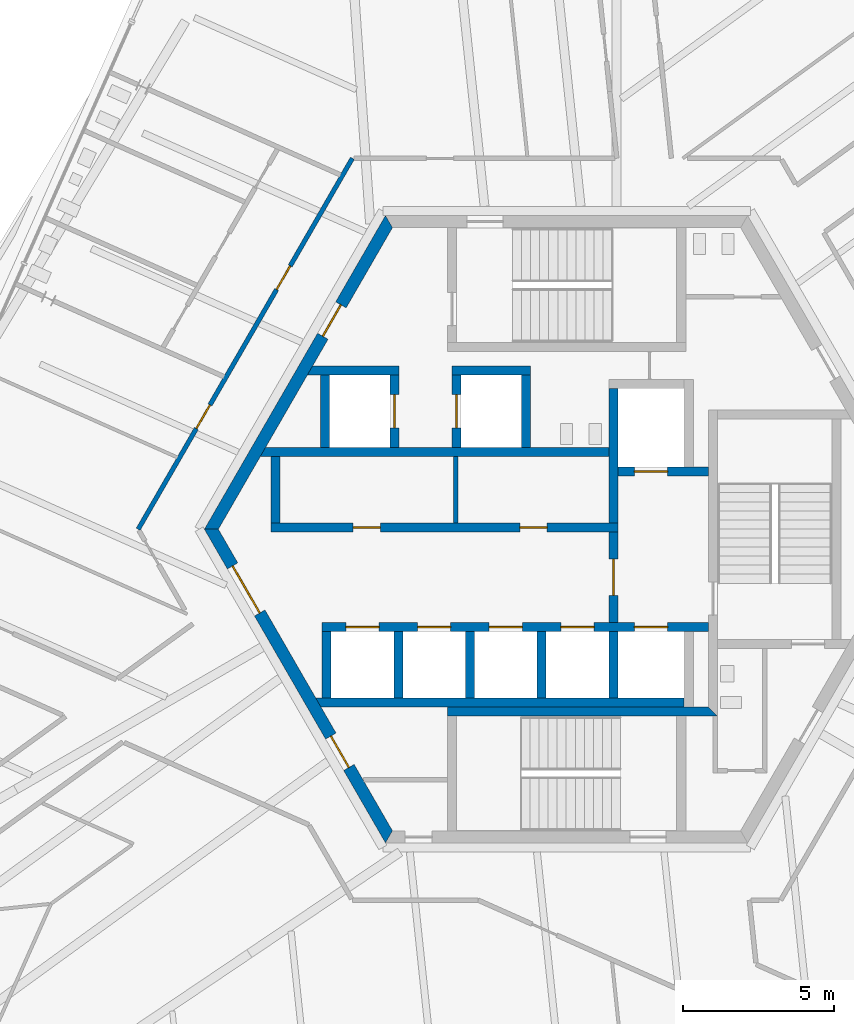
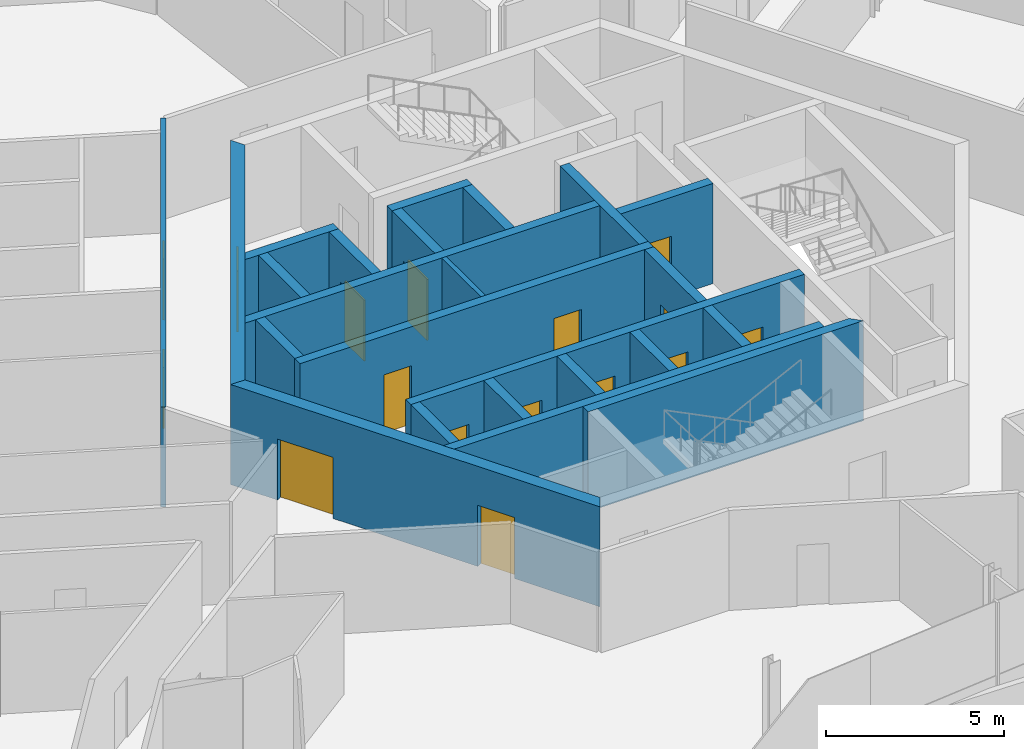
# One storey, part 14 of 21: 24 walls, 16 doors, 16 openings.
"""IFC4 building model written with IfcOpenShell, lengths in metres."""

import ifcopenshell
import ifcopenshell.guid

model = None  # the IFC model being written
_history = None  # IfcOwnerHistory: only IFC2X3 demands one
_inside = {}  # id of a spatial element -> (the spatial element, [elements in it])
_under = {}  # id of a project, library or spatial element -> (it, [spatial elements below it])
_declared = {}  # id of a project -> (the project, [libraries it declares])
_typed = {}  # id of a type object -> (the type object, [elements of that type])
_made_of = {}  # id of a material, layer set ... -> (it, [elements and type objects made of it])


def new_model(schema):
    """Start an empty IFC model of exactly this schema.

    Asked for "IFC4X3", IfcOpenShell would pick the latest addendum, in which some entities
    have other attributes; the version numbers below select the first issue.
    IFC2X3 requires an IfcOwnerHistory on every rooted entity: one is made here for all.
    """
    global model, _history
    if schema == "IFC4X3":
        model = ifcopenshell.file(schema_version=(4, 3, 0, 0))
    else:
        model = ifcopenshell.file(schema=schema)
    _inside.clear()
    _under.clear()
    _declared.clear()
    _typed.clear()
    _made_of.clear()
    _history = None
    if model.schema == "IFC2X3":
        org = make("IfcOrganization", Name="unknown")
        user = make(
            "IfcPersonAndOrganization",
            ThePerson=make("IfcPerson", FamilyName="unknown"),
            TheOrganization=org,
        )
        app = make(
            "IfcApplication",
            ApplicationDeveloper=org,
            Version="unknown",
            ApplicationFullName="unknown",
            ApplicationIdentifier="unknown",
        )
        _history = make(
            "IfcOwnerHistory",
            OwningUser=user,
            OwningApplication=app,
            ChangeAction="ADDED",
            CreationDate=0,
        )
    return model


def make(cls, **values):
    """One entity of the class cls with the attributes given. An attribute that is None is left unset."""
    return model.create_entity(
        cls, **{name: value for name, value in values.items() if value is not None}
    )


def rooted(cls, **values):
    """An entity with a GlobalId (a new one), such as an element, a storey or a relation."""
    return make(cls, GlobalId=ifcopenshell.guid.new(), OwnerHistory=_history, **values)


def si_unit(unit_type, name, prefix=None):
    """IfcSIUnit, for example si_unit("LENGTHUNIT", "METRE", prefix="MILLI")."""
    return make("IfcSIUnit", UnitType=unit_type, Prefix=prefix, Name=name)


def assignment(units):
    """IfcUnitAssignment: the units of a project."""
    return None if units is None else make("IfcUnitAssignment", Units=units)


def point(xyz):
    """IfcCartesianPoint."""
    return None if xyz is None else make("IfcCartesianPoint", Coordinates=xyz)


def direction(xyz):
    """IfcDirection."""
    return None if xyz is None else make("IfcDirection", DirectionRatios=xyz)


def frame(location, z_axis=None, x_axis=None):
    """IfcAxis2Placement3D, a coordinate frame: its origin and axes. An axis left out is left unset."""
    return make(
        "IfcAxis2Placement3D",
        Location=point(location),
        Axis=direction(z_axis),
        RefDirection=direction(x_axis),
    )


def frame_2d(location, x_axis=None):
    """IfcAxis2Placement2D, a coordinate frame in the plane: its origin and x axis."""
    return make(
        "IfcAxis2Placement2D", Location=point(location), RefDirection=direction(x_axis)
    )


def origin():
    """The frame at (0, 0, 0) with its axes left unset."""
    return frame((0.0, 0.0, 0.0))


def place(relative_to, where):
    """IfcLocalPlacement: puts the frame where relative to a parent placement (None: the world)."""
    return make(
        "IfcLocalPlacement", PlacementRelTo=relative_to, RelativePlacement=where
    )


def context(
    kind, dimensions, precision=None, world=None, true_north=None, identifier=None
):
    """IfcGeometricRepresentationContext, for example the 3D "Model" context."""
    return make(
        "IfcGeometricRepresentationContext",
        ContextIdentifier=identifier,
        ContextType=kind,
        CoordinateSpaceDimension=dimensions,
        Precision=precision,
        WorldCoordinateSystem=world,
        TrueNorth=true_north,
    )


def subcontext(parent, identifier, kind, view, scale=None):
    """IfcGeometricRepresentationSubContext, for example "Body" below "Model"."""
    return make(
        "IfcGeometricRepresentationSubContext",
        ContextIdentifier=identifier,
        ContextType=kind,
        ParentContext=parent,
        TargetScale=scale,
        TargetView=view,
    )


def project(units=None, contexts=None):
    """IfcProject with its units and contexts."""
    return rooted(
        "IfcProject",
        Name="project",
        RepresentationContexts=contexts,
        UnitsInContext=assignment(units),
    )


def spatial(cls, under=None, at=None, **own):
    """A site, building, storey or space (cls), placed at a placement, below another one or the project."""
    s = rooted(cls, ObjectPlacement=at, **own)
    if under is not None:
        _under.setdefault(under.id(), (under, []))[1].append(s)
    return s


def polyline(points):
    """IfcPolyline through the points."""
    return make("IfcPolyline", Points=[point(p) for p in points])


def profile(cls, at=None, kind="AREA", **sizes):
    """A parametric profile (cls). Its sizes go by their IFC names, for example OverallWidth=200.0."""
    return make(cls, ProfileType=kind, Position=at, **sizes)


def rectangle(**sizes):
    """IfcRectangleProfileDef."""
    return profile("IfcRectangleProfileDef", **sizes)


def outline(outer, holes=None, kind="AREA"):
    """IfcArbitraryClosedProfileDef: a profile drawn as a closed curve; with holes, ...WithVoids."""
    if holes is None:
        return make("IfcArbitraryClosedProfileDef", ProfileType=kind, OuterCurve=outer)
    return make(
        "IfcArbitraryProfileDefWithVoids",
        ProfileType=kind,
        OuterCurve=outer,
        InnerCurves=holes,
    )


def extrude(swept, where, along, depth):
    """IfcExtrudedAreaSolid: the profile swept, set in the frame where, extruded along a direction by depth."""
    return make(
        "IfcExtrudedAreaSolid",
        SweptArea=swept,
        Position=where,
        ExtrudedDirection=direction(along),
        Depth=depth,
    )


def shape(context_of_items, identifier, shape_type, items):
    """IfcShapeRepresentation: the items that make up one representation, for example the "Body"."""
    return make(
        "IfcShapeRepresentation",
        ContextOfItems=context_of_items,
        RepresentationIdentifier=identifier,
        RepresentationType=shape_type,
        Items=items,
    )


def source(mapping_origin, context_of_items, identifier, shape_type, items):
    """IfcRepresentationMap: a shape defined once, which mapped items show again and again."""
    return make(
        "IfcRepresentationMap",
        MappingOrigin=mapping_origin,
        MappedRepresentation=shape(context_of_items, identifier, shape_type, items),
    )


def transform(
    local_origin,
    x_axis=None,
    y_axis=None,
    z_axis=None,
    scale=None,
    scale2=None,
    scale3=None,
    uniform=True,
):
    """IfcCartesianTransformationOperator3D, or its non-uniform kind. x_axis, y_axis, z_axis: its Axis1, 2, 3."""
    if uniform:
        return make(
            "IfcCartesianTransformationOperator3D",
            Axis1=direction(x_axis),
            Axis2=direction(y_axis),
            LocalOrigin=point(local_origin),
            Scale=scale,
            Axis3=direction(z_axis),
        )
    return make(
        "IfcCartesianTransformationOperator3DnonUniform",
        Axis1=direction(x_axis),
        Axis2=direction(y_axis),
        LocalOrigin=point(local_origin),
        Scale=scale,
        Axis3=direction(z_axis),
        Scale2=scale2,
        Scale3=scale3,
    )


def mapped(mapping_source, mapping_target):
    """IfcMappedItem: shows the shape of a source again, moved by a transform."""
    return make(
        "IfcMappedItem", MappingSource=mapping_source, MappingTarget=mapping_target
    )


def material(Name=None, Category=None):
    """IfcMaterial."""
    return make("IfcMaterial", Name=Name, Category=Category)


def layer(
    of_material, thickness, ventilated=None, Name=None, Category=None, Priority=None
):
    """IfcMaterialLayer: one layer of a wall or slab, of a material (None: an air gap)."""
    return make(
        "IfcMaterialLayer",
        Material=of_material,
        LayerThickness=thickness,
        IsVentilated=ventilated,
        Name=Name,
        Category=Category,
        Priority=Priority,
    )


def layer_set(layers, Name=None):
    """IfcMaterialLayerSet."""
    return make("IfcMaterialLayerSet", MaterialLayers=layers, LayerSetName=Name)


def made_of(thing, what):
    """Note that an element or type object is made of a material, layer set ...; save() writes the relation."""
    if what is not None:
        _made_of.setdefault(what.id(), (what, []))[1].append(thing)
    return thing


def type_object(cls, material=None, **own):
    """A type object (cls), such as IfcWallType, which elements share."""
    return made_of(rooted(cls, **own), material)


def element(
    cls,
    number,
    at=None,
    inside=None,
    cuts=None,
    type_object=None,
    material=None,
    context=None,
    identifier="Body",
    shape_type=None,
    held_by="IfcProductDefinitionShape",
    body=None,
    shapes=None,
    **own,
):
    """One element of the class cls, such as IfcWall. Its Tag is "e" and its number.

    at: its placement. inside: the storey or other place that contains it. cuts: it is an
    opening in that element (IfcRelVoidsElement). A single representation is given by context,
    identifier, shape_type and body (its items); several are given by shapes. held_by: the class
    of the entity that holds the representations. save() writes the other relations.
    """
    e = rooted(cls, Tag="e%d" % number, ObjectPlacement=at, **own)
    if body is not None:
        shapes = [shape(context, identifier, shape_type, body)]
    if shapes is not None:
        e.Representation = make(held_by, Representations=shapes)
    if inside is not None:
        _inside.setdefault(inside.id(), (inside, []))[1].append(e)
    if cuts is not None:
        rooted(
            "IfcRelVoidsElement", RelatingBuildingElement=cuts, RelatedOpeningElement=e
        )
    if type_object is not None:
        _typed.setdefault(type_object.id(), (type_object, []))[1].append(e)
    return made_of(e, material)


def fill(opening, filler):
    """IfcRelFillsElement: the door or window that sits in an opening."""
    return rooted(
        "IfcRelFillsElement",
        RelatingOpeningElement=opening,
        RelatedBuildingElement=filler,
    )


def aggregate(whole, parts):
    """IfcRelAggregates: a whole, such as a stair, and the parts it consists of."""
    return rooted("IfcRelAggregates", RelatingObject=whole, RelatedObjects=parts)


def save(model, path):
    """Write the relations noted so far, then the file.

    IfcRelAggregates (storeys below a building ...), IfcRelContainedInSpatialStructure (elements
    in a storey), IfcRelDefinesByType, IfcRelAssociatesMaterial and IfcRelDeclares: one each for
    every whole, place, type object, material and project.
    """
    for whole, parts in _under.values():
        aggregate(whole, parts)
    for where, things in _inside.values():
        rooted(
            "IfcRelContainedInSpatialStructure",
            RelatedElements=things,
            RelatingStructure=where,
        )
    for kind, things in _typed.values():
        rooted("IfcRelDefinesByType", RelatedObjects=things, RelatingType=kind)
    for what, things in _made_of.values():
        rooted("IfcRelAssociatesMaterial", RelatedObjects=things, RelatingMaterial=what)
    for by, libraries in _declared.values():
        rooted("IfcRelDeclares", RelatingContext=by, RelatedDefinitions=libraries)
    model.write(path)


model = new_model("IFC4")

# Units and contexts
model_context = context("Model", 3, precision=1e-05, world=origin(), true_north=direction((0.0, 1.0)))
body_context = subcontext(model_context, "Body", "Model", "MODEL_VIEW")
ifc_project = project(units=[si_unit("LENGTHUNIT", "METRE"), si_unit("AREAUNIT", "SQUARE_METRE"), si_unit("VOLUMEUNIT", "CUBIC_METRE"), si_unit("PLANEANGLEUNIT", "RADIAN"), si_unit("MASSUNIT", "GRAM", prefix="KILO")], contexts=[model_context])

# Site, building, storey
site_placement = place(None, origin())
site = spatial("IfcSite", under=ifc_project, at=site_placement, CompositionType="ELEMENT")
building_placement = place(site_placement, origin())
building = spatial("IfcBuilding", under=site, at=building_placement, Name="Triune Harvest Tower", CompositionType="ELEMENT")
storey_placement = place(building_placement, frame((0.0, 0.0, 219.699951171875)))
storey = spatial("IfcBuildingStorey", under=building, at=storey_placement, Name="L57", CompositionType="ELEMENT", Elevation=219.699951171875)

# Wall, opening, door
ifc_material_1 = material(Name="Concrete 70 MPa", Category="concrete")
ifc_layer_1 = layer(ifc_material_1, 0.39990234375)
ifc_layer_set_1 = layer_set([ifc_layer_1], Name="Concrete 70 MPa")
wall_type_1 = type_object("IfcWallType", Name="Core wall 400", PredefinedType="SHEAR", material=ifc_layer_set_1)
shared_shape_1 = source(origin(), body_context, "Body", "SweptSolid", [
    extrude(outline(polyline([(-0.115478515625, -0.199951171875), (11.884521484375, -0.199951171875), (11.653564453125, 0.199951171875), (0.115478515625, 0.199951171875), (-0.115478515625, -0.199951171875)])), origin(), (0.0, 0.0, 1.0), 3.43994140625),
])
wall_1_placement = place(storey_placement, frame((-5.884521484375, 10.1923828125, 0.0), z_axis=(0.0, 0.0, 1.0), x_axis=(-0.499996592174, -0.866027371285, 0.0)))
wall_1 = element("IfcWall", 1, at=wall_1_placement, inside=storey, type_object=wall_type_1, Name="Hexagon 2 wall", PredefinedType="SHEAR", context=body_context, shape_type="MappedRepresentation", body=[
    mapped(shared_shape_1, transform((0.0, 0.0, 0.0), scale=1.0)),
])
opening_1_placement = place(wall_1_placement, frame((3.1845703125, 0.0, 0.0)))
opening_1 = element("IfcOpeningElement", 2, at=opening_1_placement, cuts=wall_1, Name="Opening CD-SVP", PredefinedType="OPENING", context=body_context, shape_type="SweptSolid", body=[
    extrude(rectangle(XDim=1.199951171875, YDim=2.10009765625, at=frame_2d((0.60009765625, 1.050048828125))), frame((0.0, 0.2099609375, 0.0), z_axis=(0.0, -1.0, 0.0), x_axis=(1.0, 0.0, 0.0)), (0.0, 0.0, 1.0), 0.419921875),
])
ifc_material_2 = material(Name="Steel S235", Category="steel")
door_type_1 = type_object("IfcDoorType", Name="Service door 1200 FD120", OperationType="SINGLE_SWING_LEFT", PredefinedType="DOOR", material=ifc_material_2)
door_1_placement = place(opening_1_placement, frame((1.199951171875, 0.0, 0.0), z_axis=(0.0, 0.0, 1.0), x_axis=(-1.0, 0.0, 0.0)))
door_1 = element("IfcDoor", 3, at=door_1_placement, inside=storey, type_object=door_type_1, Name="Door CD-SVP", OperationType="SINGLE_SWING_RIGHT", OverallHeight=2.10009765625, OverallWidth=1.199951171875, PredefinedType="DOOR", context=body_context, shape_type="SweptSolid", body=[
    extrude(rectangle(XDim=1.199951171875, YDim=2.10009765625, at=frame_2d((0.60009765625, 1.050048828125))), frame((0.0, 0.02490234375, 0.0), z_axis=(0.0, -1.0, 0.0), x_axis=(1.0, 0.0, 0.0)), (0.0, 0.0, 1.0), 0.050048828125),
])
fill(opening_1, door_1)

# Wall, openings, doors
wall_2_placement = place(storey_placement, frame((-11.76904296875, 0.0, 0.0), z_axis=(0.0, 0.0, 1.0), x_axis=(0.499996592174, -0.866027371285, 0.0)))
wall_2 = element("IfcWall", 4, at=wall_2_placement, inside=storey, type_object=wall_type_1, Name="Hexagon 3 wall", PredefinedType="SHEAR", context=body_context, shape_type="MappedRepresentation", body=[
    mapped(shared_shape_1, transform((0.0, 0.0, 0.0), scale=1.0)),
])
opening_2_placement = place(wall_2_placement, frame((1.404541015625, 0.0, 0.0)))
opening_2 = element("IfcOpeningElement", 5, at=opening_2_placement, cuts=wall_2, Name="Opening CD-LS", PredefinedType="OPENING", context=body_context, shape_type="SweptSolid", body=[
    extrude(rectangle(XDim=1.800048828125, YDim=2.10009765625, at=frame_2d((0.89990234375, 1.050048828125))), frame((0.0, 0.2099609375, 0.0), z_axis=(0.0, -1.0, 0.0), x_axis=(1.0, 0.0, 0.0)), (0.0, 0.0, 1.0), 0.419921875),
])
opening_3_placement = place(wall_2_placement, frame((7.91455078125, 0.0, 0.0)))
opening_3 = element("IfcOpeningElement", 6, at=opening_3_placement, cuts=wall_2, Name="Opening CD-SWP", PredefinedType="OPENING", context=body_context, shape_type="SweptSolid", body=[
    extrude(rectangle(XDim=1.199951171875, YDim=2.10009765625, at=frame_2d((0.60009765625, 1.050048828125))), frame((0.0, 0.2099609375, 0.0), z_axis=(0.0, -1.0, 0.0), x_axis=(1.0, 0.0, 0.0)), (0.0, 0.0, 1.0), 0.419921875),
])
ifc_material_3 = material(Name="Steel S235", Category="steel")
door_type_2 = type_object("IfcDoorType", Name="Lobby door 1800 FD120", OperationType="DOUBLE_DOOR_DOUBLE_SWING", PredefinedType="DOOR", material=ifc_material_3)
door_2_placement = place(opening_2_placement, frame((1.800048828125, 0.0, 0.0), z_axis=(0.0, 0.0, 1.0), x_axis=(-1.0, 0.0, 0.0)))
door_2 = element("IfcDoor", 7, at=door_2_placement, inside=storey, type_object=door_type_2, Name="Door CD-LS", OperationType="DOUBLE_DOOR_DOUBLE_SWING", OverallHeight=2.10009765625, OverallWidth=1.800048828125, PredefinedType="DOOR", context=body_context, shape_type="SweptSolid", body=[
    extrude(rectangle(XDim=1.800048828125, YDim=2.10009765625, at=frame_2d((0.89990234375, 1.050048828125))), frame((0.0, 0.02490234375, 0.0), z_axis=(0.0, -1.0, 0.0), x_axis=(1.0, 0.0, 0.0)), (0.0, 0.0, 1.0), 0.050048828125),
])
fill(opening_2, door_2)
door_3_placement = place(opening_3_placement, frame((1.199951171875, 0.0, 0.0), z_axis=(0.0, 0.0, 1.0), x_axis=(-1.0, 0.0, 0.0)))
door_3 = element("IfcDoor", 8, at=door_3_placement, inside=storey, type_object=door_type_1, Name="Door CD-SWP", OperationType="SINGLE_SWING_RIGHT", OverallHeight=2.10009765625, OverallWidth=1.199951171875, PredefinedType="DOOR", context=body_context, shape_type="SweptSolid", body=[
    extrude(rectangle(XDim=1.199951171875, YDim=2.10009765625, at=frame_2d((0.60009765625, 1.050048828125))), frame((0.0, 0.02490234375, 0.0), z_axis=(0.0, -1.0, 0.0), x_axis=(1.0, 0.0, 0.0)), (0.0, 0.0, 1.0), 0.050048828125),
])
fill(opening_3, door_3)

ifc_material_4 = material(Name="Concrete 70 MPa", Category="concrete")
ifc_layer_2 = layer(ifc_material_4, 0.300048828125)
ifc_layer_set_2 = layer_set([ifc_layer_2], Name="Concrete 70 MPa")
wall_type_2 = type_object("IfcWallType", Name="Core wall 300", PredefinedType="SHEAR", material=ifc_layer_set_2)
shared_shape_2 = source(origin(), body_context, "Body", "SweptSolid", [
    extrude(rectangle(XDim=11.5, YDim=0.300048828125, at=frame_2d((5.75, 0.0))), origin(), (0.0, 0.0, 1.0), 3.43994140625),
])
wall_3_placement = place(storey_placement, frame((-9.800048828125, 0.06005859375, 0.0), z_axis=(0.0, 0.0, 1.0), x_axis=(1.0, 0.0, 0.0)))
wall_3 = element("IfcWall", 9, at=wall_3_placement, inside=storey, type_object=wall_type_2, Name="North front wall", PredefinedType="SHEAR", context=body_context, shape_type="MappedRepresentation", body=[
    mapped(shared_shape_2, transform((0.0, 0.0, 0.0), scale=1.0)),
])
opening_4_placement = place(wall_3_placement, frame((2.7275390625, 0.0, 0.0)))
opening_4 = element("IfcOpeningElement", 10, at=opening_4_placement, cuts=wall_3, Name="Opening CD-RN1", PredefinedType="OPENING", context=body_context, shape_type="SweptSolid", body=[
    extrude(rectangle(XDim=0.89990234375, YDim=2.10009765625, at=frame_2d((0.449951171875, 1.050048828125))), frame((0.0, 0.16015625, 0.0), z_axis=(0.0, -1.0, 0.0), x_axis=(1.0, 0.0, 0.0)), (0.0, 0.0, 1.0), 0.320068359375),
])
opening_5_placement = place(wall_3_placement, frame((8.25244140625, 0.0, 0.0)))
opening_5 = element("IfcOpeningElement", 11, at=opening_5_placement, cuts=wall_3, Name="Opening CD-RN2", PredefinedType="OPENING", context=body_context, shape_type="SweptSolid", body=[
    extrude(rectangle(XDim=0.89990234375, YDim=2.10009765625, at=frame_2d((0.449951171875, 1.050048828125))), frame((0.0, 0.16015625, 0.0), z_axis=(0.0, -1.0, 0.0), x_axis=(1.0, 0.0, 0.0)), (0.0, 0.0, 1.0), 0.320068359375),
])
ifc_material_5 = material(Name="Steel S235", Category="steel")
door_type_3 = type_object("IfcDoorType", Name="Riser door 900 FD120", OperationType="SINGLE_SWING_LEFT", PredefinedType="DOOR", material=ifc_material_5)
door_4_placement = place(opening_4_placement, frame((0.89990234375, 0.0, 0.0), z_axis=(0.0, 0.0, 1.0), x_axis=(-1.0, 0.0, 0.0)))
door_4 = element("IfcDoor", 12, at=door_4_placement, inside=storey, type_object=door_type_3, Name="Door CD-RN1", OperationType="SINGLE_SWING_RIGHT", OverallHeight=2.10009765625, OverallWidth=0.89990234375, PredefinedType="DOOR", context=body_context, shape_type="SweptSolid", body=[
    extrude(rectangle(XDim=0.89990234375, YDim=2.10009765625, at=frame_2d((0.449951171875, 1.050048828125))), frame((0.0, 0.02490234375, 0.0), z_axis=(0.0, -1.0, 0.0), x_axis=(1.0, 0.0, 0.0)), (0.0, 0.0, 1.0), 0.050048828125),
])
fill(opening_4, door_4)
door_5_placement = place(opening_5_placement, frame((0.89990234375, 0.0, 0.0), z_axis=(0.0, 0.0, 1.0), x_axis=(-1.0, 0.0, 0.0)))
door_5 = element("IfcDoor", 13, at=door_5_placement, inside=storey, type_object=door_type_3, Name="Door CD-RN2", OperationType="SINGLE_SWING_RIGHT", OverallHeight=2.10009765625, OverallWidth=0.89990234375, PredefinedType="DOOR", context=body_context, shape_type="SweptSolid", body=[
    extrude(rectangle(XDim=0.89990234375, YDim=2.10009765625, at=frame_2d((0.449951171875, 1.050048828125))), frame((0.0, 0.02490234375, 0.0), z_axis=(0.0, -1.0, 0.0), x_axis=(1.0, 0.0, 0.0)), (0.0, 0.0, 1.0), 0.050048828125),
])
fill(opening_5, door_5)

# Walls
shared_shape_3 = source(origin(), body_context, "Body", "SweptSolid", [
    extrude(outline(polyline([(11.199951171875, -0.14990234375), (-0.34912109375, -0.14990234375), (-0.17578125, 0.14990234375), (11.199951171875, 0.14990234375), (11.199951171875, -0.14990234375)])), origin(), (0.0, 0.0, 1.0), 3.43994140625),
])
wall_4_placement = place(storey_placement, frame((-9.800048828125, 2.56005859375, 0.0), z_axis=(0.0, 0.0, 1.0), x_axis=(1.0, 0.0, 0.0)))
element("IfcWall", 14, at=wall_4_placement, inside=storey, type_object=wall_type_2, Name="North back wall", PredefinedType="SHEAR", context=body_context, shape_type="MappedRepresentation", body=[
    mapped(shared_shape_3, transform((0.0, 0.0, 0.0), scale=1.0)),
])
shared_shape_4 = source(origin(), body_context, "Body", "SweptSolid", [
    extrude(rectangle(XDim=4.449951171875, YDim=0.300048828125, at=frame_2d((2.22509765625, 0.0))), origin(), (0.0, 0.0, 1.0), 3.43994140625),
])
wall_5_placement = place(storey_placement, frame((1.550048828125, 0.2099609375, 0.0), z_axis=(0.0, 0.0, 1.0), x_axis=(0.0, 1.0, 0.0)))
element("IfcWall", 15, at=wall_5_placement, inside=storey, type_object=wall_type_2, Name="Ff1 west wall", PredefinedType="SHEAR", context=body_context, shape_type="MappedRepresentation", body=[
    mapped(shared_shape_4, transform((0.0, 0.0, 0.0), scale=1.0)),
])

# Wall, opening, door
shared_shape_5 = source(origin(), body_context, "Body", "SweptSolid", [
    extrude(rectangle(XDim=3.0, YDim=0.300048828125, at=frame_2d((1.5, 0.0))), origin(), (0.0, 0.0, 1.0), 3.43994140625),
])
wall_6_placement = place(storey_placement, frame((1.699951171875, 1.909912109375, 0.0), z_axis=(0.0, 0.0, 1.0), x_axis=(1.0, 0.0, 0.0)))
wall_6 = element("IfcWall", 16, at=wall_6_placement, inside=storey, type_object=wall_type_2, Name="Ff1 front wall", PredefinedType="SHEAR", context=body_context, shape_type="MappedRepresentation", body=[
    mapped(shared_shape_5, transform((0.0, 0.0, 0.0), scale=1.0)),
])
opening_6_placement = place(wall_6_placement, frame((0.550048828125, 0.0, 0.0)))
opening_6 = element("IfcOpeningElement", 17, at=opening_6_placement, cuts=wall_6, Name="Opening LD-FF1-57", PredefinedType="OPENING", context=body_context, shape_type="SweptSolid", body=[
    extrude(rectangle(XDim=1.10009765625, YDim=2.10009765625, at=frame_2d((0.550048828125, 1.050048828125))), frame((0.0, 0.16015625, 0.0), z_axis=(0.0, -1.0, 0.0), x_axis=(1.0, 0.0, 0.0)), (0.0, 0.0, 1.0), 0.320068359375),
])
ifc_material_6 = material(Name="Stainless steel AISI 304", Category="steel")
door_type_4 = type_object("IfcDoorType", Name="Landing door 1100 x 2100", OperationType="DOUBLE_DOOR_SLIDING", PredefinedType="DOOR", material=ifc_material_6)
door_6_placement = place(opening_6_placement, origin())
door_6 = element("IfcDoor", 18, at=door_6_placement, inside=storey, type_object=door_type_4, Name="Door LD-FF1-57", OperationType="DOUBLE_DOOR_SLIDING", OverallHeight=2.10009765625, OverallWidth=1.10009765625, PredefinedType="DOOR", context=body_context, shape_type="SweptSolid", body=[
    extrude(rectangle(XDim=1.10009765625, YDim=2.10009765625, at=frame_2d((0.550048828125, 1.050048828125))), frame((0.0, 0.02490234375, 0.0), z_axis=(0.0, -1.0, 0.0), x_axis=(1.0, 0.0, 0.0)), (0.0, 0.0, 1.0), 0.050048828125),
])
fill(opening_6, door_6)

wall_7_placement = place(storey_placement, frame((1.550048828125, -3.090087890625, 0.0), z_axis=(0.0, 0.0, 1.0), x_axis=(0.0, 1.0, 0.0)))
wall_7 = element("IfcWall", 19, at=wall_7_placement, inside=storey, type_object=wall_type_2, Name="Ff lobby west wall", PredefinedType="SHEAR", context=body_context, shape_type="MappedRepresentation", body=[
    mapped(shared_shape_5, transform((0.0, 0.0, 0.0), scale=1.0)),
])
opening_7_placement = place(wall_7_placement, frame((0.89990234375, 0.0, 0.0)))
opening_7 = element("IfcOpeningElement", 20, at=opening_7_placement, cuts=wall_7, Name="Opening CD-FL", PredefinedType="OPENING", context=body_context, shape_type="SweptSolid", body=[
    extrude(rectangle(XDim=1.199951171875, YDim=2.10009765625, at=frame_2d((0.60009765625, 1.050048828125))), frame((0.0, 0.16015625, 0.0), z_axis=(0.0, -1.0, 0.0), x_axis=(1.0, 0.0, 0.0)), (0.0, 0.0, 1.0), 0.320068359375),
])
ifc_material_7 = material(Name="Steel S235", Category="steel")
door_type_5 = type_object("IfcDoorType", Name="Firefighters' lobby door 1200 FD120", OperationType="SINGLE_SWING_LEFT", PredefinedType="DOOR", material=ifc_material_7)
door_7_placement = place(opening_7_placement, frame((1.199951171875, 0.0, 0.0), z_axis=(0.0, 0.0, 1.0), x_axis=(-1.0, 0.0, 0.0)))
door_7 = element("IfcDoor", 21, at=door_7_placement, inside=storey, type_object=door_type_5, Name="Door CD-FL", OperationType="SINGLE_SWING_RIGHT", OverallHeight=2.10009765625, OverallWidth=1.199951171875, PredefinedType="DOOR", context=body_context, shape_type="SweptSolid", body=[
    extrude(rectangle(XDim=1.199951171875, YDim=2.10009765625, at=frame_2d((0.60009765625, 1.050048828125))), frame((0.0, 0.02490234375, 0.0), z_axis=(0.0, -1.0, 0.0), x_axis=(1.0, 0.0, 0.0)), (0.0, 0.0, 1.0), 0.050048828125),
])
fill(opening_7, door_7)

# Wall, openings, doors
shared_shape_6 = source(origin(), body_context, "Body", "SweptSolid", [
    extrude(rectangle(XDim=12.800048828125, YDim=0.300048828125, at=frame_2d((6.39990234375, 0.0))), origin(), (0.0, 0.0, 1.0), 3.43994140625),
])
wall_8_placement = place(storey_placement, frame((-8.10009765625, -3.239990234375, 0.0), z_axis=(0.0, 0.0, 1.0), x_axis=(1.0, 0.0, 0.0)))
wall_8 = element("IfcWall", 22, at=wall_8_placement, inside=storey, type_object=wall_type_2, Name="South front wall", PredefinedType="SHEAR", context=body_context, shape_type="MappedRepresentation", body=[
    mapped(shared_shape_6, transform((0.0, 0.0, 0.0), scale=1.0)),
])
opening_8_placement = place(wall_8_placement, frame((0.78759765625, 0.0, 0.0)))
opening_8 = element("IfcOpeningElement", 23, at=opening_8_placement, cuts=wall_8, Name="Opening LD-HR1-57", PredefinedType="OPENING", context=body_context, shape_type="SweptSolid", body=[
    extrude(rectangle(XDim=1.10009765625, YDim=2.10009765625, at=frame_2d((0.550048828125, 1.050048828125))), frame((0.0, 0.16015625, 0.0), z_axis=(0.0, -1.0, 0.0), x_axis=(1.0, 0.0, 0.0)), (0.0, 0.0, 1.0), 0.320068359375),
])
opening_9_placement = place(wall_8_placement, frame((3.16259765625, 0.0, 0.0)))
opening_9 = element("IfcOpeningElement", 24, at=opening_9_placement, cuts=wall_8, Name="Opening LD-HR2-57", PredefinedType="OPENING", context=body_context, shape_type="SweptSolid", body=[
    extrude(rectangle(XDim=1.10009765625, YDim=2.10009765625, at=frame_2d((0.550048828125, 1.050048828125))), frame((0.0, 0.16015625, 0.0), z_axis=(0.0, -1.0, 0.0), x_axis=(1.0, 0.0, 0.0)), (0.0, 0.0, 1.0), 0.320068359375),
])
opening_10_placement = place(wall_8_placement, frame((5.53759765625, 0.0, 0.0)))
opening_10 = element("IfcOpeningElement", 25, at=opening_10_placement, cuts=wall_8, Name="Opening LD-HR3-57", PredefinedType="OPENING", context=body_context, shape_type="SweptSolid", body=[
    extrude(rectangle(XDim=1.10009765625, YDim=2.10009765625, at=frame_2d((0.550048828125, 1.050048828125))), frame((0.0, 0.16015625, 0.0), z_axis=(0.0, -1.0, 0.0), x_axis=(1.0, 0.0, 0.0)), (0.0, 0.0, 1.0), 0.320068359375),
])
opening_11_placement = place(wall_8_placement, frame((7.91259765625, 0.0, 0.0)))
opening_11 = element("IfcOpeningElement", 26, at=opening_11_placement, cuts=wall_8, Name="Opening LD-HR4-57", PredefinedType="OPENING", context=body_context, shape_type="SweptSolid", body=[
    extrude(rectangle(XDim=1.10009765625, YDim=2.10009765625, at=frame_2d((0.550048828125, 1.050048828125))), frame((0.0, 0.16015625, 0.0), z_axis=(0.0, -1.0, 0.0), x_axis=(1.0, 0.0, 0.0)), (0.0, 0.0, 1.0), 0.320068359375),
])
opening_12_placement = place(wall_8_placement, frame((10.35009765625, 0.0, 0.0)))
opening_12 = element("IfcOpeningElement", 27, at=opening_12_placement, cuts=wall_8, Name="Opening LD-FF2-57", PredefinedType="OPENING", context=body_context, shape_type="SweptSolid", body=[
    extrude(rectangle(XDim=1.10009765625, YDim=2.10009765625, at=frame_2d((0.550048828125, 1.050048828125))), frame((0.0, 0.16015625, 0.0), z_axis=(0.0, -1.0, 0.0), x_axis=(1.0, 0.0, 0.0)), (0.0, 0.0, 1.0), 0.320068359375),
])
door_8_placement = place(opening_8_placement, origin())
door_8 = element("IfcDoor", 28, at=door_8_placement, inside=storey, type_object=door_type_4, Name="Door LD-HR1-57", OperationType="DOUBLE_DOOR_SLIDING", OverallHeight=2.10009765625, OverallWidth=1.10009765625, PredefinedType="DOOR", context=body_context, shape_type="SweptSolid", body=[
    extrude(rectangle(XDim=1.10009765625, YDim=2.10009765625, at=frame_2d((0.550048828125, 1.050048828125))), frame((0.0, 0.02490234375, 0.0), z_axis=(0.0, -1.0, 0.0), x_axis=(1.0, 0.0, 0.0)), (0.0, 0.0, 1.0), 0.050048828125),
])
fill(opening_8, door_8)
door_9_placement = place(opening_9_placement, origin())
door_9 = element("IfcDoor", 29, at=door_9_placement, inside=storey, type_object=door_type_4, Name="Door LD-HR2-57", OperationType="DOUBLE_DOOR_SLIDING", OverallHeight=2.10009765625, OverallWidth=1.10009765625, PredefinedType="DOOR", context=body_context, shape_type="SweptSolid", body=[
    extrude(rectangle(XDim=1.10009765625, YDim=2.10009765625, at=frame_2d((0.550048828125, 1.050048828125))), frame((0.0, 0.02490234375, 0.0), z_axis=(0.0, -1.0, 0.0), x_axis=(1.0, 0.0, 0.0)), (0.0, 0.0, 1.0), 0.050048828125),
])
fill(opening_9, door_9)
door_10_placement = place(opening_10_placement, origin())
door_10 = element("IfcDoor", 30, at=door_10_placement, inside=storey, type_object=door_type_4, Name="Door LD-HR3-57", OperationType="DOUBLE_DOOR_SLIDING", OverallHeight=2.10009765625, OverallWidth=1.10009765625, PredefinedType="DOOR", context=body_context, shape_type="SweptSolid", body=[
    extrude(rectangle(XDim=1.10009765625, YDim=2.10009765625, at=frame_2d((0.550048828125, 1.050048828125))), frame((0.0, 0.02490234375, 0.0), z_axis=(0.0, -1.0, 0.0), x_axis=(1.0, 0.0, 0.0)), (0.0, 0.0, 1.0), 0.050048828125),
])
fill(opening_10, door_10)
door_11_placement = place(opening_11_placement, origin())
door_11 = element("IfcDoor", 31, at=door_11_placement, inside=storey, type_object=door_type_4, Name="Door LD-HR4-57", OperationType="DOUBLE_DOOR_SLIDING", OverallHeight=2.10009765625, OverallWidth=1.10009765625, PredefinedType="DOOR", context=body_context, shape_type="SweptSolid", body=[
    extrude(rectangle(XDim=1.10009765625, YDim=2.10009765625, at=frame_2d((0.550048828125, 1.050048828125))), frame((0.0, 0.02490234375, 0.0), z_axis=(0.0, -1.0, 0.0), x_axis=(1.0, 0.0, 0.0)), (0.0, 0.0, 1.0), 0.050048828125),
])
fill(opening_11, door_11)
door_12_placement = place(opening_12_placement, origin())
door_12 = element("IfcDoor", 32, at=door_12_placement, inside=storey, type_object=door_type_4, Name="Door LD-FF2-57", OperationType="DOUBLE_DOOR_SLIDING", OverallHeight=2.10009765625, OverallWidth=1.10009765625, PredefinedType="DOOR", context=body_context, shape_type="SweptSolid", body=[
    extrude(rectangle(XDim=1.10009765625, YDim=2.10009765625, at=frame_2d((0.550048828125, 1.050048828125))), frame((0.0, 0.02490234375, 0.0), z_axis=(0.0, -1.0, 0.0), x_axis=(1.0, 0.0, 0.0)), (0.0, 0.0, 1.0), 0.050048828125),
])
fill(opening_12, door_12)

# Walls
shared_shape_7 = source(origin(), body_context, "Body", "SweptSolid", [
    extrude(outline(polyline([(12.0, -0.14990234375), (-0.039794921875, -0.14990234375), (-0.212890625, 0.14990234375), (12.0, 0.14990234375), (12.0, -0.14990234375)])), origin(), (0.0, 0.0, 1.0), 3.43994140625),
])
wall_9_placement = place(storey_placement, frame((-8.10009765625, -5.739990234375, 0.0), z_axis=(0.0, 0.0, 1.0), x_axis=(1.0, 0.0, 0.0)))
element("IfcWall", 33, at=wall_9_placement, inside=storey, type_object=wall_type_2, Name="South back wall", PredefinedType="SHEAR", context=body_context, shape_type="MappedRepresentation", body=[
    mapped(shared_shape_7, transform((0.0, 0.0, 0.0), scale=1.0)),
])
shared_shape_8 = source(origin(), body_context, "Body", "SweptSolid", [
    extrude(rectangle(XDim=2.2001953125, YDim=0.300048828125, at=frame_2d((1.10009765625, 0.0))), origin(), (0.0, 0.0, 1.0), 3.43994140625),
])
for number, where, z_axis, x_axis, name in (
    (34, (-7.949951171875, -5.590087890625, 0.0), (0.0, 0.0, 1.0), (0.0, 1.0, 0.0), "South end west wall"),
    (35, (1.550048828125, -5.590087890625, 0.0), (0.0, 0.0, 1.0), (0.0, 1.0, 0.0), "Ff2 west wall"),
    (36, (-5.574951171875, -5.590087890625, 0.0), (0.0, 0.0, 1.0), (0.0, 1.0, 0.0), "South cross 1 wall"),
    (37, (-3.199951171875, -5.590087890625, 0.0), (0.0, 0.0, 1.0), (0.0, 1.0, 0.0), "South cross 2 wall"),
    (38, (-0.824951171875, -5.590087890625, 0.0), (0.0, 0.0, 1.0), (0.0, 1.0, 0.0), "South cross 3 wall"),
):
    element("IfcWall", number, at=place(storey_placement, frame(where, z_axis=z_axis, x_axis=x_axis)), inside=storey, type_object=wall_type_2, Name=name, PredefinedType="SHEAR", context=body_context, shape_type="MappedRepresentation", body=[
        mapped(shared_shape_8, transform((0.0, 0.0, 0.0), scale=1.0)),
    ])
shared_shape_9 = source(origin(), body_context, "Body", "SweptSolid", [
    extrude(rectangle(XDim=2.199951171875, YDim=0.300048828125, at=frame_2d((1.10009765625, 0.0))), origin(), (0.0, 0.0, 1.0), 3.43994140625),
])
wall_10_placement = place(storey_placement, frame((-9.64990234375, 0.2099609375, 0.0), z_axis=(0.0, 0.0, 1.0), x_axis=(0.0, 1.0, 0.0)))
element("IfcWall", 39, at=wall_10_placement, inside=storey, type_object=wall_type_2, Name="North end west wall", PredefinedType="SHEAR", context=body_context, shape_type="MappedRepresentation", body=[
    mapped(shared_shape_9, transform((0.0, 0.0, 0.0), scale=1.0)),
])
shared_shape_10 = source(origin(), body_context, "Body", "SweptSolid", [
    extrude(outline(polyline([(0.0, -0.14990234375), (8.949951171875, -0.14990234375), (8.64990234375, 0.14990234375), (0.0, 0.14990234375), (0.0, -0.14990234375)])), origin(), (0.0, 0.0, 1.0), 3.43994140625),
])
wall_11_placement = place(storey_placement, frame((-3.949951171875, -6.0400390625, 0.0), z_axis=(0.0, 0.0, 1.0), x_axis=(1.0, 0.0, 0.0)))
element("IfcWall", 40, at=wall_11_placement, inside=storey, type_object=wall_type_2, Name="Stair s north wall", PredefinedType="SHEAR", context=body_context, shape_type="MappedRepresentation", body=[
    mapped(shared_shape_10, transform((0.0, 0.0, 0.0), scale=1.0)),
])
shared_shape_11 = source(origin(), body_context, "Body", "SweptSolid", [
    extrude(outline(polyline([(2.60009765625, -0.14990234375), (-0.440185546875, -0.14990234375), (-0.26708984375, 0.14990234375), (2.60009765625, 0.14990234375), (2.60009765625, -0.14990234375)])), origin(), (0.0, 0.0, 1.0), 3.43994140625),
])
wall_12_placement = place(storey_placement, frame((-8.14990234375, 5.260009765625, 0.0), z_axis=(0.0, 0.0, 1.0), x_axis=(1.0, 0.0, 0.0)))
element("IfcWall", 41, at=wall_12_placement, inside=storey, type_object=wall_type_2, Name="Sv1 north wall", PredefinedType="SHEAR", context=body_context, shape_type="MappedRepresentation", body=[
    mapped(shared_shape_11, transform((0.0, 0.0, 0.0), scale=1.0)),
])
shared_shape_12 = source(origin(), body_context, "Body", "SweptSolid", [
    extrude(rectangle(XDim=2.400146484375, YDim=0.300048828125, at=frame_2d((1.2001953125, 0.0))), origin(), (0.0, 0.0, 1.0), 3.43994140625),
])
wall_13_placement = place(storey_placement, frame((-8.0, 2.7099609375, 0.0), z_axis=(0.0, 0.0, 1.0), x_axis=(0.0, 1.0, 0.0)))
element("IfcWall", 42, at=wall_13_placement, inside=storey, type_object=wall_type_2, Name="Sv1 west wall", PredefinedType="SHEAR", context=body_context, shape_type="MappedRepresentation", body=[
    mapped(shared_shape_12, transform((0.0, 0.0, 0.0), scale=1.0)),
])

# Wall, opening, door
wall_14_placement = place(storey_placement, frame((-5.699951171875, 2.7099609375, 0.0), z_axis=(0.0, 0.0, 1.0), x_axis=(0.0, 1.0, 0.0)))
wall_14 = element("IfcWall", 43, at=wall_14_placement, inside=storey, type_object=wall_type_2, Name="Sv1 east wall", PredefinedType="SHEAR", context=body_context, shape_type="MappedRepresentation", body=[
    mapped(shared_shape_12, transform((0.0, 0.0, 0.0), scale=1.0)),
])
opening_13_placement = place(wall_14_placement, frame((0.64990234375, 0.0, 0.0)))
opening_13 = element("IfcOpeningElement", 44, at=opening_13_placement, cuts=wall_14, Name="Opening LD-SV1-57", PredefinedType="OPENING", context=body_context, shape_type="SweptSolid", body=[
    extrude(rectangle(XDim=1.10009765625, YDim=2.10009765625, at=frame_2d((0.550048828125, 1.050048828125))), frame((0.0, 0.16015625, 0.0), z_axis=(0.0, -1.0, 0.0), x_axis=(1.0, 0.0, 0.0)), (0.0, 0.0, 1.0), 0.320068359375),
])
door_13_placement = place(opening_13_placement, origin())
door_13 = element("IfcDoor", 45, at=door_13_placement, inside=storey, type_object=door_type_4, Name="Door LD-SV1-57", OperationType="DOUBLE_DOOR_SLIDING", OverallHeight=2.10009765625, OverallWidth=1.10009765625, PredefinedType="DOOR", context=body_context, shape_type="SweptSolid", body=[
    extrude(rectangle(XDim=1.10009765625, YDim=2.10009765625, at=frame_2d((0.550048828125, 1.050048828125))), frame((0.0, 0.02490234375, 0.0), z_axis=(0.0, -1.0, 0.0), x_axis=(1.0, 0.0, 0.0)), (0.0, 0.0, 1.0), 0.050048828125),
])
fill(opening_13, door_13)

wall_15_placement = place(storey_placement, frame((-3.64990234375, 2.7099609375, 0.0), z_axis=(0.0, 0.0, 1.0), x_axis=(0.0, 1.0, 0.0)))
wall_15 = element("IfcWall", 46, at=wall_15_placement, inside=storey, type_object=wall_type_2, Name="Sv2 west wall", PredefinedType="SHEAR", context=body_context, shape_type="MappedRepresentation", body=[
    mapped(shared_shape_12, transform((0.0, 0.0, 0.0), scale=1.0)),
])
opening_14_placement = place(wall_15_placement, frame((0.64990234375, 0.0, 0.0)))
opening_14 = element("IfcOpeningElement", 47, at=opening_14_placement, cuts=wall_15, Name="Opening LD-SV2-57", PredefinedType="OPENING", context=body_context, shape_type="SweptSolid", body=[
    extrude(rectangle(XDim=1.10009765625, YDim=2.10009765625, at=frame_2d((0.550048828125, 1.050048828125))), frame((0.0, 0.16015625, 0.0), z_axis=(0.0, -1.0, 0.0), x_axis=(1.0, 0.0, 0.0)), (0.0, 0.0, 1.0), 0.320068359375),
])
door_14_placement = place(opening_14_placement, origin())
door_14 = element("IfcDoor", 48, at=door_14_placement, inside=storey, type_object=door_type_4, Name="Door LD-SV2-57", OperationType="DOUBLE_DOOR_SLIDING", OverallHeight=2.10009765625, OverallWidth=1.10009765625, PredefinedType="DOOR", context=body_context, shape_type="SweptSolid", body=[
    extrude(rectangle(XDim=1.10009765625, YDim=2.10009765625, at=frame_2d((0.550048828125, 1.050048828125))), frame((0.0, 0.02490234375, 0.0), z_axis=(0.0, -1.0, 0.0), x_axis=(1.0, 0.0, 0.0)), (0.0, 0.0, 1.0), 0.050048828125),
])
fill(opening_14, door_14)

# Walls
wall_16_placement = place(storey_placement, frame((-1.35009765625, 2.7099609375, 0.0), z_axis=(0.0, 0.0, 1.0), x_axis=(0.0, 1.0, 0.0)))
element("IfcWall", 49, at=wall_16_placement, inside=storey, type_object=wall_type_2, Name="Sv2 east wall", PredefinedType="SHEAR", context=body_context, shape_type="MappedRepresentation", body=[
    mapped(shared_shape_12, transform((0.0, 0.0, 0.0), scale=1.0)),
])
shared_shape_13 = source(origin(), body_context, "Body", "SweptSolid", [
    extrude(rectangle(XDim=2.60009765625, YDim=0.300048828125, at=frame_2d((1.300048828125, 0.0))), origin(), (0.0, 0.0, 1.0), 3.43994140625),
])
wall_17_placement = place(storey_placement, frame((-3.800048828125, 5.260009765625, 0.0), z_axis=(0.0, 0.0, 1.0), x_axis=(1.0, 0.0, 0.0)))
element("IfcWall", 50, at=wall_17_placement, inside=storey, type_object=wall_type_2, Name="Sv2 north wall", PredefinedType="SHEAR", context=body_context, shape_type="MappedRepresentation", body=[
    mapped(shared_shape_13, transform((0.0, 0.0, 0.0), scale=1.0)),
])
ifc_material_8 = material(Name="Concrete masonry unit", Category="masonry")
ifc_layer_3 = layer(ifc_material_8, 0.14990234375)
ifc_layer_set_3 = layer_set([ifc_layer_3], Name="Concrete masonry unit")
wall_type_3 = type_object("IfcWallType", Name="Block partition 150", PredefinedType="PARTITIONING", material=ifc_layer_set_3)
shared_shape_14 = source(origin(), body_context, "Body", "SweptSolid", [
    extrude(rectangle(XDim=2.199951171875, YDim=0.14990234375, at=frame_2d((1.10009765625, 0.0))), origin(), (0.0, 0.0, 1.0), 3.43994140625),
])
wall_18_placement = place(storey_placement, frame((-3.669921875, 0.2099609375, 0.0), z_axis=(0.0, 0.0, 1.0), x_axis=(0.0, 1.0, 0.0)))
element("IfcWall", 51, at=wall_18_placement, inside=storey, type_object=wall_type_3, Name="Row n part 1 wall", PredefinedType="PARTITIONING", context=body_context, shape_type="MappedRepresentation", body=[
    mapped(shared_shape_14, transform((0.0, 0.0, 0.0), scale=1.0)),
])

# Wall, openings, doors
ifc_material_9 = material(Name="Gypsum board on steel studs", Category="steel")
ifc_layer_4 = layer(ifc_material_9, 0.14990234375)
ifc_layer_set_4 = layer_set([ifc_layer_4], Name="Gypsum board on steel studs")
wall_type_4 = type_object("IfcWallType", Name="Fire Partition 150 mm", PredefinedType="PARTITIONING", material=ifc_layer_set_4)
shared_shape_15 = source(origin(), body_context, "Body", "SweptSolid", [
    extrude(rectangle(XDim=14.194091796875, YDim=0.14990234375, at=frame_2d((7.09716796875, 0.0))), origin(), (0.0, 0.0, 1.0), 3.43994140625),
])
wall_19_placement = place(storey_placement, frame((-14.194091796875, 0.0, 0.0), z_axis=(0.0, 0.0, 1.0), x_axis=(0.500012787896, 0.866018020563, 0.0)))
wall_19 = element("IfcWall", 52, at=wall_19_placement, inside=storey, type_object=wall_type_4, Name="Partition L57 060", PredefinedType="PARTITIONING", context=body_context, shape_type="MappedRepresentation", body=[
    mapped(shared_shape_15, transform((0.0, 0.0, 0.0), scale=1.0)),
])
opening_15_placement = place(wall_19_placement, frame((9.1767578125, 0.0, 0.0)))
opening_15 = element("IfcOpeningElement", 53, at=opening_15_placement, cuts=wall_19, Name="Opening L57-012", PredefinedType="OPENING", context=body_context, shape_type="SweptSolid", body=[
    extrude(rectangle(XDim=0.89990234375, YDim=2.10009765625, at=frame_2d((0.449951171875, 1.050048828125))), frame((0.0, 0.0849609375, 0.0), z_axis=(0.0, -1.0, 0.0), x_axis=(1.0, 0.0, 0.0)), (0.0, 0.0, 1.0), 0.169921875),
])
opening_16_placement = place(wall_19_placement, frame((3.85498046875, 0.0, 0.0)))
opening_16 = element("IfcOpeningElement", 54, at=opening_16_placement, cuts=wall_19, Name="Opening L57-017", PredefinedType="OPENING", context=body_context, shape_type="SweptSolid", body=[
    extrude(rectangle(XDim=0.89990234375, YDim=2.10009765625, at=frame_2d((0.449951171875, 1.050048828125))), frame((0.0, 0.0849609375, 0.0), z_axis=(0.0, -1.0, 0.0), x_axis=(1.0, 0.0, 0.0)), (0.0, 0.0, 1.0), 0.169921875),
])
ifc_material_10 = material(Name="Timber and steel door set", Category="steel")
door_type_6 = type_object("IfcDoorType", Name="Single leaf door FD30 left hand 900 x 2100", OperationType="SINGLE_SWING_LEFT", PredefinedType="DOOR", material=ifc_material_10)
door_15_placement = place(opening_16_placement, origin())
door_15 = element("IfcDoor", 55, at=door_15_placement, inside=storey, type_object=door_type_6, Name="Door L57-017 Phone room 57.17", OperationType="SINGLE_SWING_LEFT", OverallHeight=2.10009765625, OverallWidth=0.89990234375, PredefinedType="DOOR", context=body_context, shape_type="SweptSolid", body=[
    extrude(rectangle(XDim=0.89990234375, YDim=2.10009765625, at=frame_2d((0.449951171875, 1.050048828125))), frame((0.0, 0.02490234375, 0.0), z_axis=(0.0, -1.0, 0.0), x_axis=(1.0, 0.0, 0.0)), (0.0, 0.0, 1.0), 0.050048828125),
])
fill(opening_16, door_15)
ifc_material_11 = material(Name="Timber and steel door set", Category="steel")
door_type_7 = type_object("IfcDoorType", Name="Single leaf door FD30 right hand 900 x 2100", OperationType="SINGLE_SWING_RIGHT", PredefinedType="DOOR", material=ifc_material_11)
door_16_placement = place(opening_15_placement, origin())
door_16 = element("IfcDoor", 56, at=door_16_placement, inside=storey, type_object=door_type_7, Name="Door L57-012 WC lobby 57.12", OperationType="SINGLE_SWING_RIGHT", OverallHeight=2.10009765625, OverallWidth=0.89990234375, PredefinedType="DOOR", context=body_context, shape_type="SweptSolid", body=[
    extrude(rectangle(XDim=0.89990234375, YDim=2.10009765625, at=frame_2d((0.449951171875, 1.050048828125))), frame((0.0, 0.02490234375, 0.0), z_axis=(0.0, -1.0, 0.0), x_axis=(1.0, 0.0, 0.0)), (0.0, 0.0, 1.0), 0.050048828125),
])
fill(opening_15, door_16)

save(model, "model.ifc")
